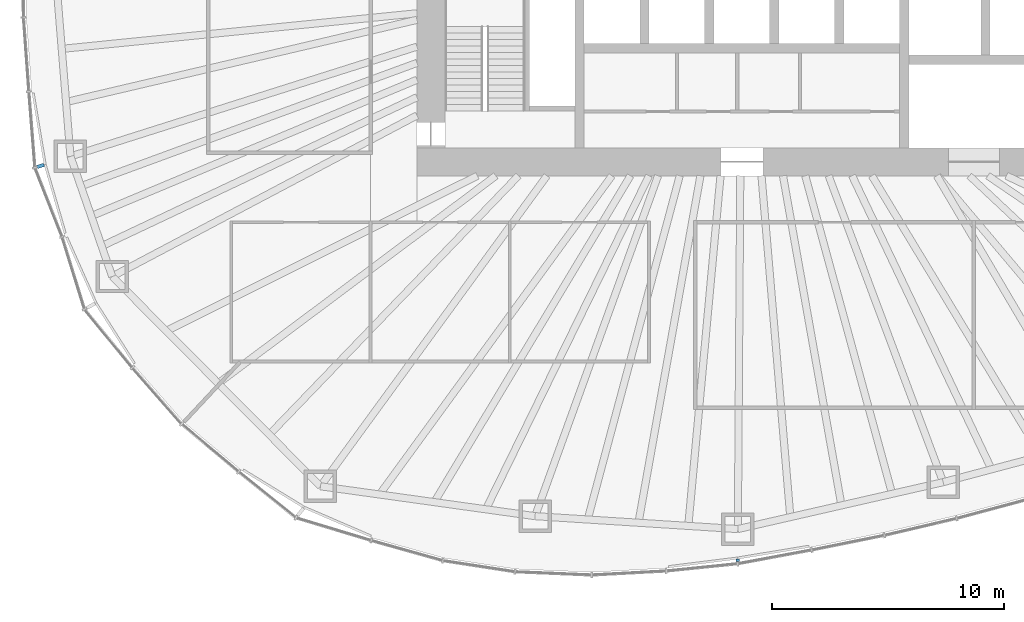
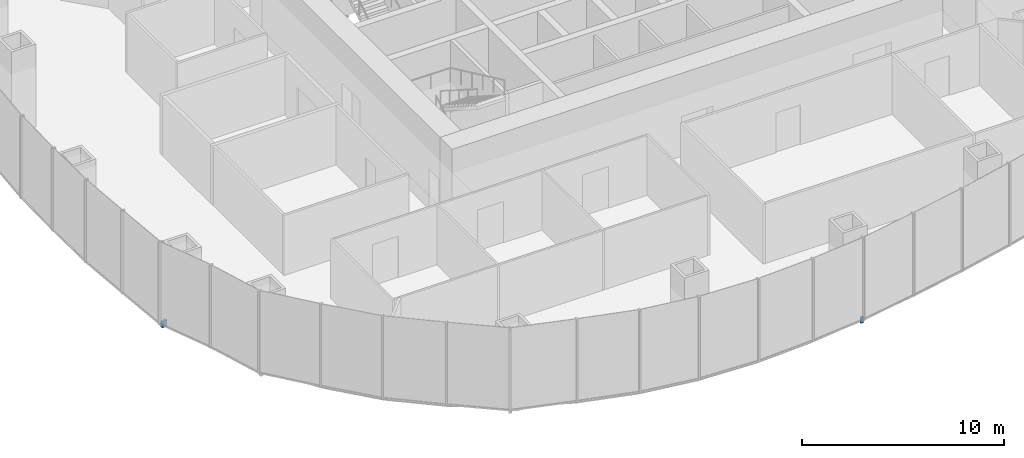
# One storey, part 13 of 18: 2 discrete accessories.
"""IFC4 building model written with IfcOpenShell, lengths in metres."""

import ifcopenshell
import ifcopenshell.guid

model = None  # the IFC model being written
_history = None  # IfcOwnerHistory: only IFC2X3 demands one
_inside = {}  # id of a spatial element -> (the spatial element, [elements in it])
_under = {}  # id of a project, library or spatial element -> (it, [spatial elements below it])
_declared = {}  # id of a project -> (the project, [libraries it declares])
_typed = {}  # id of a type object -> (the type object, [elements of that type])
_made_of = {}  # id of a material, layer set ... -> (it, [elements and type objects made of it])


def new_model(schema):
    """Start an empty IFC model of exactly this schema.

    Asked for "IFC4X3", IfcOpenShell would pick the latest addendum, in which some entities
    have other attributes; the version numbers below select the first issue.
    IFC2X3 requires an IfcOwnerHistory on every rooted entity: one is made here for all.
    """
    global model, _history
    if schema == "IFC4X3":
        model = ifcopenshell.file(schema_version=(4, 3, 0, 0))
    else:
        model = ifcopenshell.file(schema=schema)
    _inside.clear()
    _under.clear()
    _declared.clear()
    _typed.clear()
    _made_of.clear()
    _history = None
    if model.schema == "IFC2X3":
        org = make("IfcOrganization", Name="unknown")
        user = make(
            "IfcPersonAndOrganization",
            ThePerson=make("IfcPerson", FamilyName="unknown"),
            TheOrganization=org,
        )
        app = make(
            "IfcApplication",
            ApplicationDeveloper=org,
            Version="unknown",
            ApplicationFullName="unknown",
            ApplicationIdentifier="unknown",
        )
        _history = make(
            "IfcOwnerHistory",
            OwningUser=user,
            OwningApplication=app,
            ChangeAction="ADDED",
            CreationDate=0,
        )
    return model


def make(cls, **values):
    """One entity of the class cls with the attributes given. An attribute that is None is left unset."""
    return model.create_entity(
        cls, **{name: value for name, value in values.items() if value is not None}
    )


def rooted(cls, **values):
    """An entity with a GlobalId (a new one), such as an element, a storey or a relation."""
    return make(cls, GlobalId=ifcopenshell.guid.new(), OwnerHistory=_history, **values)


def si_unit(unit_type, name, prefix=None):
    """IfcSIUnit, for example si_unit("LENGTHUNIT", "METRE", prefix="MILLI")."""
    return make("IfcSIUnit", UnitType=unit_type, Prefix=prefix, Name=name)


def assignment(units):
    """IfcUnitAssignment: the units of a project."""
    return None if units is None else make("IfcUnitAssignment", Units=units)


def point(xyz):
    """IfcCartesianPoint."""
    return None if xyz is None else make("IfcCartesianPoint", Coordinates=xyz)


def direction(xyz):
    """IfcDirection."""
    return None if xyz is None else make("IfcDirection", DirectionRatios=xyz)


def frame(location, z_axis=None, x_axis=None):
    """IfcAxis2Placement3D, a coordinate frame: its origin and axes. An axis left out is left unset."""
    return make(
        "IfcAxis2Placement3D",
        Location=point(location),
        Axis=direction(z_axis),
        RefDirection=direction(x_axis),
    )


def frame_2d(location, x_axis=None):
    """IfcAxis2Placement2D, a coordinate frame in the plane: its origin and x axis."""
    return make(
        "IfcAxis2Placement2D", Location=point(location), RefDirection=direction(x_axis)
    )


def origin():
    """The frame at (0, 0, 0) with its axes left unset."""
    return frame((0.0, 0.0, 0.0))


def origin_2d():
    """The frame at (0, 0) in the plane with its x axis left unset."""
    return frame_2d((0.0, 0.0))


def place(relative_to, where):
    """IfcLocalPlacement: puts the frame where relative to a parent placement (None: the world)."""
    return make(
        "IfcLocalPlacement", PlacementRelTo=relative_to, RelativePlacement=where
    )


def context(
    kind, dimensions, precision=None, world=None, true_north=None, identifier=None
):
    """IfcGeometricRepresentationContext, for example the 3D "Model" context."""
    return make(
        "IfcGeometricRepresentationContext",
        ContextIdentifier=identifier,
        ContextType=kind,
        CoordinateSpaceDimension=dimensions,
        Precision=precision,
        WorldCoordinateSystem=world,
        TrueNorth=true_north,
    )


def subcontext(parent, identifier, kind, view, scale=None):
    """IfcGeometricRepresentationSubContext, for example "Body" below "Model"."""
    return make(
        "IfcGeometricRepresentationSubContext",
        ContextIdentifier=identifier,
        ContextType=kind,
        ParentContext=parent,
        TargetScale=scale,
        TargetView=view,
    )


def project(units=None, contexts=None):
    """IfcProject with its units and contexts."""
    return rooted(
        "IfcProject",
        Name="project",
        RepresentationContexts=contexts,
        UnitsInContext=assignment(units),
    )


def spatial(cls, under=None, at=None, **own):
    """A site, building, storey or space (cls), placed at a placement, below another one or the project."""
    s = rooted(cls, ObjectPlacement=at, **own)
    if under is not None:
        _under.setdefault(under.id(), (under, []))[1].append(s)
    return s


def profile(cls, at=None, kind="AREA", **sizes):
    """A parametric profile (cls). Its sizes go by their IFC names, for example OverallWidth=200.0."""
    return make(cls, ProfileType=kind, Position=at, **sizes)


def rectangle(**sizes):
    """IfcRectangleProfileDef."""
    return profile("IfcRectangleProfileDef", **sizes)


def extrude(swept, where, along, depth):
    """IfcExtrudedAreaSolid: the profile swept, set in the frame where, extruded along a direction by depth."""
    return make(
        "IfcExtrudedAreaSolid",
        SweptArea=swept,
        Position=where,
        ExtrudedDirection=direction(along),
        Depth=depth,
    )


def shape(context_of_items, identifier, shape_type, items):
    """IfcShapeRepresentation: the items that make up one representation, for example the "Body"."""
    return make(
        "IfcShapeRepresentation",
        ContextOfItems=context_of_items,
        RepresentationIdentifier=identifier,
        RepresentationType=shape_type,
        Items=items,
    )


def material(Name=None, Category=None):
    """IfcMaterial."""
    return make("IfcMaterial", Name=Name, Category=Category)


def made_of(thing, what):
    """Note that an element or type object is made of a material, layer set ...; save() writes the relation."""
    if what is not None:
        _made_of.setdefault(what.id(), (what, []))[1].append(thing)
    return thing


def type_object(cls, material=None, **own):
    """A type object (cls), such as IfcWallType, which elements share."""
    return made_of(rooted(cls, **own), material)


def element(
    cls,
    number,
    at=None,
    inside=None,
    cuts=None,
    type_object=None,
    material=None,
    context=None,
    identifier="Body",
    shape_type=None,
    held_by="IfcProductDefinitionShape",
    body=None,
    shapes=None,
    **own,
):
    """One element of the class cls, such as IfcWall. Its Tag is "e" and its number.

    at: its placement. inside: the storey or other place that contains it. cuts: it is an
    opening in that element (IfcRelVoidsElement). A single representation is given by context,
    identifier, shape_type and body (its items); several are given by shapes. held_by: the class
    of the entity that holds the representations. save() writes the other relations.
    """
    e = rooted(cls, Tag="e%d" % number, ObjectPlacement=at, **own)
    if body is not None:
        shapes = [shape(context, identifier, shape_type, body)]
    if shapes is not None:
        e.Representation = make(held_by, Representations=shapes)
    if inside is not None:
        _inside.setdefault(inside.id(), (inside, []))[1].append(e)
    if cuts is not None:
        rooted(
            "IfcRelVoidsElement", RelatingBuildingElement=cuts, RelatedOpeningElement=e
        )
    if type_object is not None:
        _typed.setdefault(type_object.id(), (type_object, []))[1].append(e)
    return made_of(e, material)


def aggregate(whole, parts):
    """IfcRelAggregates: a whole, such as a stair, and the parts it consists of."""
    return rooted("IfcRelAggregates", RelatingObject=whole, RelatedObjects=parts)


def save(model, path):
    """Write the relations noted so far, then the file.

    IfcRelAggregates (storeys below a building ...), IfcRelContainedInSpatialStructure (elements
    in a storey), IfcRelDefinesByType, IfcRelAssociatesMaterial and IfcRelDeclares: one each for
    every whole, place, type object, material and project.
    """
    for whole, parts in _under.values():
        aggregate(whole, parts)
    for where, things in _inside.values():
        rooted(
            "IfcRelContainedInSpatialStructure",
            RelatedElements=things,
            RelatingStructure=where,
        )
    for kind, things in _typed.values():
        rooted("IfcRelDefinesByType", RelatedObjects=things, RelatingType=kind)
    for what, things in _made_of.values():
        rooted("IfcRelAssociatesMaterial", RelatedObjects=things, RelatingMaterial=what)
    for by, libraries in _declared.values():
        rooted("IfcRelDeclares", RelatingContext=by, RelatedDefinitions=libraries)
    model.write(path)


model = new_model("IFC4")

# Units and contexts
model_context = context("Model", 3, precision=1e-05, world=origin(), true_north=direction((0.0, 1.0)))
body_context = subcontext(model_context, "Body", "Model", "MODEL_VIEW")
ifc_project = project(units=[si_unit("LENGTHUNIT", "METRE"), si_unit("AREAUNIT", "SQUARE_METRE"), si_unit("VOLUMEUNIT", "CUBIC_METRE"), si_unit("PLANEANGLEUNIT", "RADIAN"), si_unit("MASSUNIT", "GRAM", prefix="KILO")], contexts=[model_context])

# Site, building, storey
site_placement = place(None, origin())
site = spatial("IfcSite", under=ifc_project, at=site_placement, CompositionType="ELEMENT")
building_placement = place(site_placement, origin())
building = spatial("IfcBuilding", under=site, at=building_placement, Name="Ghaith Harvest Tower", CompositionType="ELEMENT")
storey_placement = place(building_placement, frame((0.0, 0.0, 95.0)))
storey = spatial("IfcBuildingStorey", under=building, at=storey_placement, Name="L19", CompositionType="ELEMENT", Elevation=95.0)

# Discrete accessories
ifc_material_1 = material(Name="Stainless steel grade 1.4401", Category="steel")
discrete_accessory_type_1 = type_object("IfcDiscreteAccessoryType", Name="CURTAIN WALL BRACKET 315", PredefinedType="BRACKET", material=ifc_material_1)
discrete_accessory_1_placement = place(storey_placement, frame((-30.219482421875, -9.5771484375, -0.25), z_axis=(0.0, 0.0, 1.0), x_axis=(-0.953273219416, -0.302109531701, 0.0)))
element("IfcDiscreteAccessory", 1, at=discrete_accessory_1_placement, inside=storey, type_object=discrete_accessory_type_1, Name="CW-F bracket 1 bay 12 L19", PredefinedType="BRACKET", context=body_context, shape_type="SweptSolid", body=[
    extrude(rectangle(XDim=0.31494140625, YDim=0.14990234375, at=origin_2d()), origin(), (0.0, 0.0, 1.0), 0.35009765625),
])
ifc_material_2 = material(Name="Stainless steel grade 1.4401", Category="steel")
discrete_accessory_type_2 = type_object("IfcDiscreteAccessoryType", Name="CURTAIN WALL BRACKET 95", PredefinedType="BRACKET", material=ifc_material_2)
discrete_accessory_2_placement = place(storey_placement, frame((-0.181884765625, -26.569580078125, -0.25), z_axis=(0.0, 0.0, 1.0), x_axis=(-0.006843747957, -0.999976581283, 0.0)))
element("IfcDiscreteAccessory", 2, at=discrete_accessory_2_placement, inside=storey, type_object=discrete_accessory_type_2, Name="CW-F bracket 1 bay 16 L19", PredefinedType="BRACKET", context=body_context, shape_type="SweptSolid", body=[
    extrude(rectangle(XDim=0.094970703125, YDim=0.14990234375, at=origin_2d()), origin(), (0.0, 0.0, 1.0), 0.35009765625),
])

save(model, "model.ifc")
